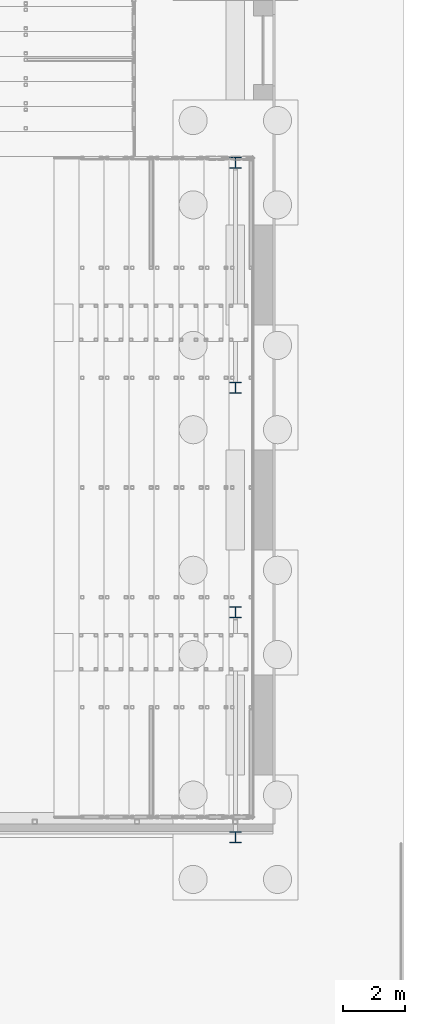
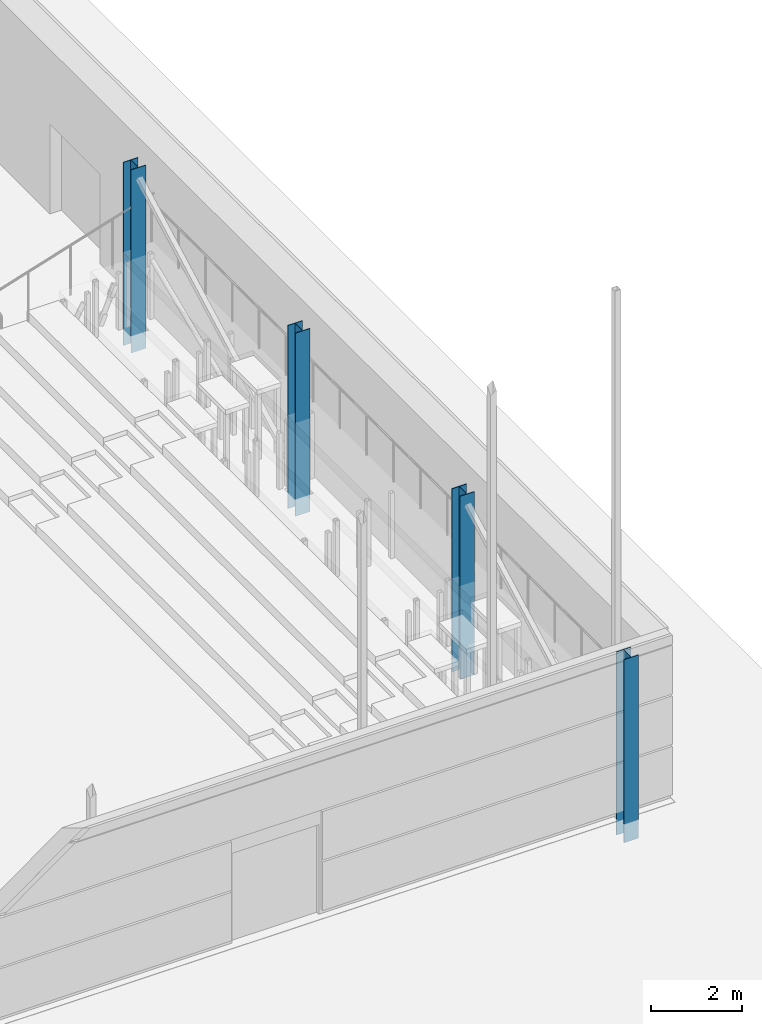
# One storey, part 22 of 139: 4 columns.
"""IFC4 building model written with IfcOpenShell, lengths in metres."""

from ifc_helpers import new_model, si_unit, direction, frame, origin, origin_2d, place, context, subcontext, project, spatial, i_section, extrude, material, material_profile, profile_set, type_object, element, save


model = new_model("IFC4")

# Units and contexts
model_context = context("Model", 3, precision=1e-05, world=origin(), true_north=direction((0.0, 1.0)))
body_context = subcontext(model_context, "Body", "Model", "MODEL_VIEW")
ifc_project = project(units=[si_unit("LENGTHUNIT", "METRE"), si_unit("AREAUNIT", "SQUARE_METRE"), si_unit("VOLUMEUNIT", "CUBIC_METRE"), si_unit("PLANEANGLEUNIT", "RADIAN"), si_unit("MASSUNIT", "GRAM", prefix="KILO")], contexts=[model_context])

# Site, building, storey
site_placement = place(None, origin())
site = spatial("IfcSite", under=ifc_project, at=site_placement, CompositionType="ELEMENT")
building_placement = place(site_placement, origin())
building = spatial("IfcBuilding", under=site, at=building_placement, Name="Verrick Yard Athletic Hall", CompositionType="ELEMENT")
storey_placement = place(building_placement, origin())
storey = spatial("IfcBuildingStorey", under=building, at=storey_placement, Name="L00", CompositionType="ELEMENT", Elevation=0.0)

# Columns
ifc_material = material(Name="Structural steel 350W (CSA G40.21)", Category="steel")
ifc_material_profile = material_profile(ifc_material, i_section(OverallWidth=0.368896484375, OverallDepth=0.35595703125, WebThickness=0.01123046875, FlangeThickness=0.01806640625, at=origin_2d()), Name="W360x134")
ifc_profile_set = profile_set([ifc_material_profile], Name="Structural steel 350W (CSA G40.21)")
column_type = type_object("IfcColumnType", Name="HB column W360x134", PredefinedType="COLUMN", material=ifc_profile_set)
for number, where, z_axis, x_axis, name in (
    (1, (169.60009765625, 72.0, -0.5), (0.0, 0.0, 1.0), (1.0, 0.0, 0.0), "HB-C-HAE1-L00"),
    (2, (169.60009765625, 79.199951171875, -0.5), (0.0, 0.0, 1.0), (1.0, 0.0, 0.0), "HB-C-HAE2-L00"),
    (3, (169.60009765625, 86.39990234375, -0.5), (0.0, 0.0, 1.0), (1.0, 0.0, 0.0), "HB-C-HAE3-L00"),
    (4, (169.60009765625, 93.60009765625, -0.5), (0.0, 0.0, 1.0), (1.0, 0.0, 0.0), "HB-C-HAE4-L00"),
):
    element("IfcColumn", number, at=place(storey_placement, frame(where, z_axis=z_axis, x_axis=x_axis)), inside=storey, type_object=column_type, Name=name, PredefinedType="COLUMN", context=body_context, shape_type="SweptSolid", body=[
        extrude(i_section(OverallWidth=0.368896484375, OverallDepth=0.35595703125, WebThickness=0.01123046875, FlangeThickness=0.01806640625, at=origin_2d()), origin(), (0.0, 0.0, 1.0), 4.89990234375),
    ])

save(model, "model.ifc")
